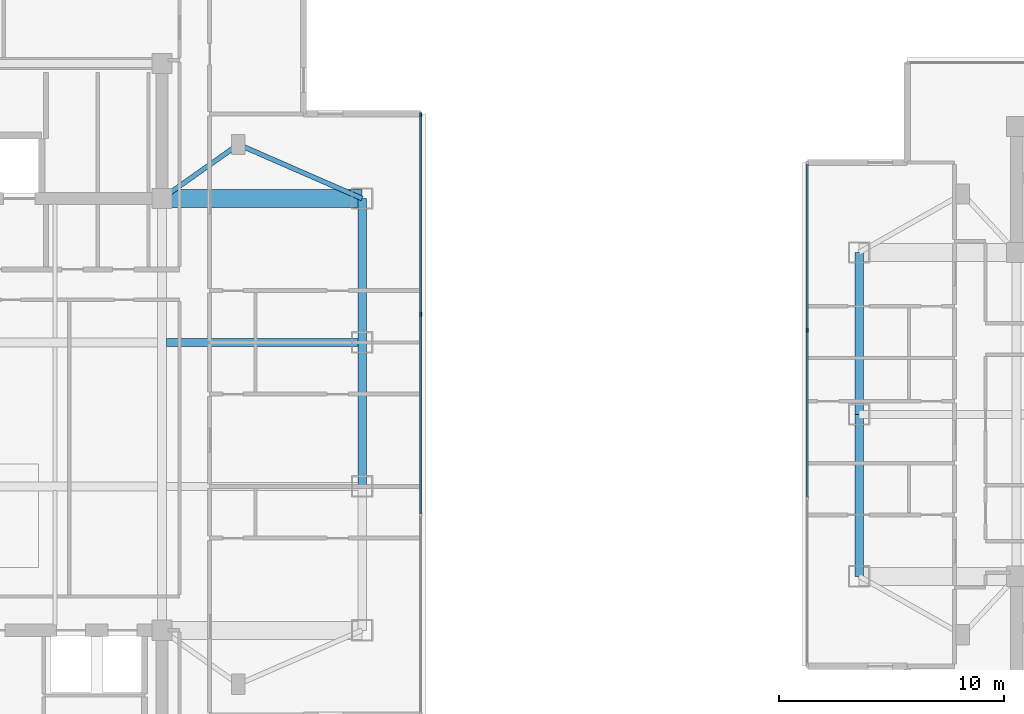
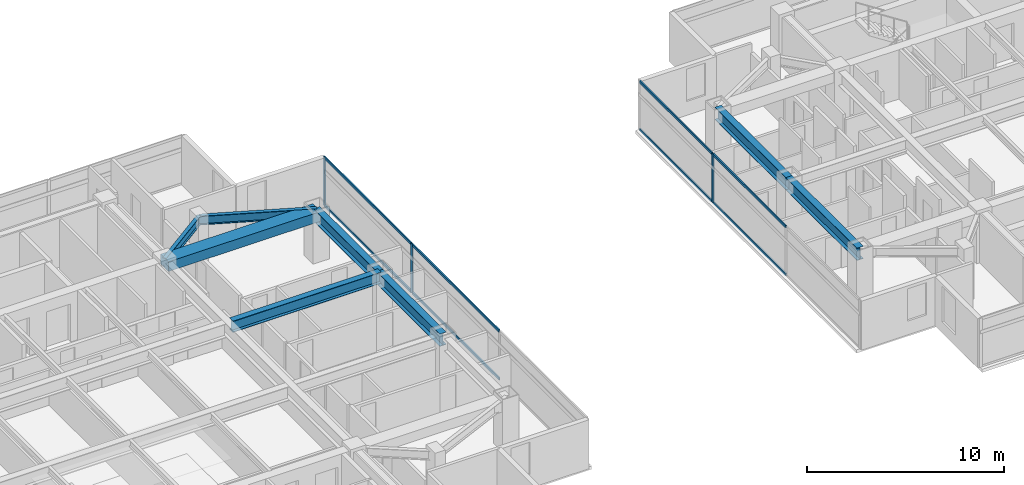
# One storey, part 5 of 26: 11 members, 8 beams, 2 elements without a shape of their own.
"""IFC4 building model written with IfcOpenShell, lengths in metres."""

from ifc_helpers import new_model, si_unit, direction, frame, origin, origin_2d, place, context, subcontext, project, spatial, rectangle, i_section, extrude, material, material_profile, profile_set, type_object, element, aggregate, save


model = new_model("IFC4")

# Units and contexts
model_context = context("Model", 3, precision=1e-05, world=origin(), true_north=direction((0.0, 1.0)))
body_context = subcontext(model_context, "Body", "Model", "MODEL_VIEW")
ifc_project = project(units=[si_unit("LENGTHUNIT", "METRE"), si_unit("AREAUNIT", "SQUARE_METRE"), si_unit("VOLUMEUNIT", "CUBIC_METRE"), si_unit("PLANEANGLEUNIT", "RADIAN"), si_unit("MASSUNIT", "GRAM", prefix="KILO")], contexts=[model_context])

# Site, building, storey
site_placement = place(None, origin())
site = spatial("IfcSite", under=ifc_project, at=site_placement, CompositionType="ELEMENT")
building_placement = place(site_placement, origin())
building = spatial("IfcBuilding", under=site, at=building_placement, Name="Mirazonda Arch Towers", CompositionType="ELEMENT")
storey_placement = place(building_placement, frame((0.0, 0.0, 203.14990234375)))
storey = spatial("IfcBuildingStorey", under=building, at=storey_placement, Name="L58", CompositionType="ELEMENT", Elevation=203.14990234375)

# Beams
ifc_material_1 = material(Name="Steel ASTM A992 Grade 50", Category="steel")
ifc_material_profile_1 = material_profile(ifc_material_1, i_section(OverallWidth=0.381103515625, OverallDepth=0.77294921875, WebThickness=0.0166015625, FlangeThickness=0.027099609375, at=origin_2d()), Name="W30X173")
ifc_profile_set_1 = profile_set([ifc_material_profile_1], Name="Steel ASTM A992 Grade 50")
beam_type_1 = type_object("IfcBeamType", Name="BM-EXT-W30X173", PredefinedType="USERDEFINED", material=ifc_profile_set_1)
beam_1_placement = place(storey_placement, frame((38.89990234375, 24.800048828125, 2.66357421875), z_axis=(0.0, 1.0, 0.0), x_axis=(-1.0, 0.0, 0.0)))
element("IfcBeam", 1, at=beam_1_placement, inside=storey, type_object=beam_type_1, Name="L58 Floor Beam BM-T1-L58-NS-E-24", ObjectType="GIRDER", PredefinedType="USERDEFINED", context=body_context, shape_type="SweptSolid", body=[
    extrude(i_section(OverallWidth=0.381103515625, OverallDepth=0.77294921875, WebThickness=0.0166015625, FlangeThickness=0.027099609375, at=origin_2d()), origin(), (0.0, 0.0, 1.0), 6.39990234375),
])
beam_2_placement = place(storey_placement, frame((38.89990234375, 31.199951171875, 2.66357421875), z_axis=(0.0, 1.0, 0.0), x_axis=(-1.0, 0.0, 0.0)))
element("IfcBeam", 2, at=beam_2_placement, inside=storey, type_object=beam_type_1, Name="L58 Floor Beam BM-T1-L58-NS-E-31", ObjectType="GIRDER", PredefinedType="USERDEFINED", context=body_context, shape_type="SweptSolid", body=[
    extrude(i_section(OverallWidth=0.381103515625, OverallDepth=0.77294921875, WebThickness=0.0166015625, FlangeThickness=0.027099609375, at=origin_2d()), origin(), (0.0, 0.0, 1.0), 6.400146484375),
])
for number, where, z_axis, x_axis, name in (
    (3, (61.0, 20.800048828125, 2.66357421875), (0.0, 1.0, 0.0), (-1.0, 0.0, 0.0), "L58 Floor Beam BM-T2-L58-NS-W-20"),
    (4, (61.0, 28.0, 2.66357421875), (0.0, 1.0, 0.0), (-1.0, 0.0, 0.0), "L58 Floor Beam BM-T2-L58-NS-W-28"),
):
    element("IfcBeam", number, at=place(storey_placement, frame(where, z_axis=z_axis, x_axis=x_axis)), inside=storey, type_object=beam_type_1, Name=name, ObjectType="GIRDER", PredefinedType="USERDEFINED", context=body_context, shape_type="SweptSolid", body=[
        extrude(i_section(OverallWidth=0.381103515625, OverallDepth=0.77294921875, WebThickness=0.0166015625, FlangeThickness=0.027099609375, at=origin_2d()), origin(), (0.0, 0.0, 1.0), 7.199951171875),
    ])
ifc_material_profile_2 = material_profile(ifc_material_1, i_section(OverallWidth=0.214111328125, OverallDepth=0.549072265625, WebThickness=0.0146484375, FlangeThickness=0.023681640625, at=origin_2d()), Name="W21X93")
ifc_profile_set_2 = profile_set([ifc_material_profile_2], Name="Steel ASTM A992 Grade 50")
beam_type_2 = type_object("IfcBeamType", Name="BM-INT-W21X93", PredefinedType="BEAM", material=ifc_profile_set_2)
beam_3_placement = place(storey_placement, frame((33.39990234375, 40.0, 2.775634765625), z_axis=(-0.816971114901, -0.576678591087, 0.0), x_axis=(0.576678591087, -0.816971114901, 0.0)))
element("IfcBeam", 5, at=beam_3_placement, inside=storey, type_object=beam_type_2, Name="L58 Floor Beam BM-T1-L58-PL-NE1", PredefinedType="BEAM", context=body_context, shape_type="SweptSolid", body=[
    extrude(i_section(OverallWidth=0.214111328125, OverallDepth=0.549072265625, WebThickness=0.0146484375, FlangeThickness=0.023681640625, at=origin_2d()), origin(), (0.0, 0.0, 1.0), 4.16162109375),
])
beam_4_placement = place(storey_placement, frame((33.39990234375, 40.0, 2.775634765625), z_axis=(0.916545343703, -0.399930785183, 0.0), x_axis=(0.399930785183, 0.916545343703, 0.0)))
element("IfcBeam", 6, at=beam_4_placement, inside=storey, type_object=beam_type_2, Name="L58 Floor Beam BM-T1-L58-PL-NE2", PredefinedType="BEAM", context=body_context, shape_type="SweptSolid", body=[
    extrude(i_section(OverallWidth=0.214111328125, OverallDepth=0.549072265625, WebThickness=0.0146484375, FlangeThickness=0.023681640625, at=origin_2d()), origin(), (0.0, 0.0, 1.0), 6.000732421875),
])
ifc_material_profile_3 = material_profile(ifc_material_1, i_section(OverallWidth=0.35498046875, OverallDepth=0.696044921875, WebThickness=0.015380859375, FlangeThickness=0.02490234375, at=origin_2d()), Name="W27X146")
ifc_profile_set_3 = profile_set([ifc_material_profile_3], Name="Steel ASTM A992 Grade 50")
beam_type_3 = type_object("IfcBeamType", Name="BM-INT-W27X146", PredefinedType="BEAM", material=ifc_profile_set_3)
beam_5_placement = place(storey_placement, frame((30.199951171875, 31.199951171875, 2.7021484375), z_axis=(1.0, 0.0, 0.0), x_axis=(0.0, 1.0, 0.0)))
element("IfcBeam", 7, at=beam_5_placement, inside=storey, type_object=beam_type_3, Name="L58 Floor Beam BM-T1-L58-GE3", PredefinedType="BEAM", context=body_context, shape_type="SweptSolid", body=[
    extrude(i_section(OverallWidth=0.35498046875, OverallDepth=0.696044921875, WebThickness=0.015380859375, FlangeThickness=0.02490234375, at=origin_2d()), origin(), (0.0, 0.0, 1.0), 8.699951171875),
])
ifc_material_2 = material(Name="Concrete C60/75", Category="concrete")
ifc_material_profile_4 = material_profile(ifc_material_2, rectangle(XDim=0.800048828125, YDim=0.60009765625, at=origin_2d()), Name="RCCB800x600")
ifc_profile_set_4 = profile_set([ifc_material_profile_4], Name="Concrete C60/75")
beam_type_4 = type_object("IfcBeamType", Name="CB-INT-RCCB800x600", PredefinedType="SPANDREL", material=ifc_profile_set_4)
beam_6_placement = place(storey_placement, frame((30.0, 37.60009765625, 2.75), z_axis=(1.0, 0.0, 0.0), x_axis=(0.0, 1.0, 0.0)))
element("IfcBeam", 8, at=beam_6_placement, inside=storey, type_object=beam_type_4, Name="L58 Floor Beam CBC-T1-L58-NE", PredefinedType="SPANDREL", context=body_context, shape_type="SweptSolid", body=[
    extrude(rectangle(XDim=0.800048828125, YDim=0.60009765625, at=origin_2d()), origin(), (0.0, 0.0, 1.0), 8.89990234375),
])

# Curtain wall, members
ifc_material_3 = material(Name="Anodised Aluminium and Low-E Glass", Category="aluminium")
curtain_wall_type = type_object("IfcCurtainWallType", Name="CW-RES-UNIT", PredefinedType="NOTDEFINED", material=ifc_material_3)
curtain_wall_1_placement = place(storey_placement, origin())
curtain_wall_1 = element("IfcCurtainWall", 9, at=curtain_wall_1_placement, inside=storey, type_object=curtain_wall_type, Name="L58 T1 E Facade CW-L58-T1-E", PredefinedType="NOTDEFINED")
ifc_material_4 = material(Name="Anodised Aluminium Alloy", Category="aluminium")
ifc_material_profile_5 = material_profile(ifc_material_4, rectangle(XDim=0.074951171875, YDim=0.175048828125, at=origin_2d()), Name="ALU-MULL-75x175")
ifc_profile_set_5 = profile_set([ifc_material_profile_5], Name="Anodised Aluminium Alloy")
member_type_1 = type_object("IfcMemberType", Name="MULL-CW-RES-UNIT", PredefinedType="MULLION", material=ifc_profile_set_5)
member_1_placement = place(storey_placement, frame((41.510009765625, 32.454345703125, 0.0), z_axis=(0.0, 0.0, 1.0), x_axis=(-1.0, 0.0, 0.0)))
member_1 = element("IfcMember", 10, at=member_1_placement, type_object=member_type_1, Name="CW-104 mullion 3", PredefinedType="MULLION", context=body_context, shape_type="SweptSolid", body=[
    extrude(rectangle(XDim=0.074951171875, YDim=0.175048828125, at=origin_2d()), origin(), (0.0, 0.0, 1.0), 3.030029296875),
])
member_2_placement = place(storey_placement, frame((41.510009765625, 41.325439453125, 0.0), z_axis=(0.0, 0.0, 1.0), x_axis=(-1.0, 0.0, 0.0)))
member_2 = element("IfcMember", 11, at=member_2_placement, type_object=member_type_1, Name="CW-104 mullion 4", PredefinedType="MULLION", context=body_context, shape_type="SweptSolid", body=[
    extrude(rectangle(XDim=0.074951171875, YDim=0.175048828125, at=origin_2d()), origin(), (0.0, 0.0, 1.0), 3.030029296875),
])

# Curtain wall, member
curtain_wall_2_placement = place(storey_placement, origin())
curtain_wall_2 = element("IfcCurtainWall", 12, at=curtain_wall_2_placement, inside=storey, type_object=curtain_wall_type, Name="L58 T2 W Facade CW-L58-T2-W", PredefinedType="NOTDEFINED")
member_3_placement = place(storey_placement, frame((58.694580078125, 31.73291015625, 0.0), z_axis=(0.0, 0.0, 1.0), x_axis=(1.0, 0.0, 0.0)))
member_3 = element("IfcMember", 13, at=member_3_placement, type_object=member_type_1, Name="CW-104 mullion 2", PredefinedType="MULLION", context=body_context, shape_type="SweptSolid", body=[
    extrude(rectangle(XDim=0.074951171875, YDim=0.175048828125, at=origin_2d()), origin(), (0.0, 0.0, 1.0), 3.030029296875),
])

# Member
ifc_material_profile_6 = material_profile(ifc_material_4, rectangle(XDim=0.074951171875, YDim=0.155029296875, at=origin_2d()), Name="ALU-TRAN-75x155")
ifc_profile_set_6 = profile_set([ifc_material_profile_6], Name="Anodised Aluminium Alloy")
member_type_2 = type_object("IfcMemberType", Name="TRAN-CW-RES-UNIT", PredefinedType="USERDEFINED", material=ifc_profile_set_6)
member_4_placement = place(storey_placement, frame((41.510009765625, 23.583251953125, 0.03759765625), z_axis=(0.0, 1.0, 0.0), x_axis=(-1.0, 0.0, 0.0)))
member_4 = element("IfcMember", 14, at=member_4_placement, type_object=member_type_2, Name="CW-104 transom 2.1", ObjectType="TRANSOM", PredefinedType="USERDEFINED", context=body_context, shape_type="SweptSolid", body=[
    extrude(rectangle(XDim=0.074951171875, YDim=0.155029296875, at=origin_2d()), origin(), (0.0, 0.0, 1.0), 8.83349609375),
])

member_5_placement = place(storey_placement, frame((41.510009765625, 23.583251953125, 2.99267578125), z_axis=(0.0, 1.0, 0.0), x_axis=(-1.0, 0.0, 0.0)))
member_5 = element("IfcMember", 15, at=member_5_placement, type_object=member_type_2, Name="CW-104 transom 2.2", ObjectType="TRANSOM", PredefinedType="USERDEFINED", context=body_context, shape_type="SweptSolid", body=[
    extrude(rectangle(XDim=0.074951171875, YDim=0.155029296875, at=origin_2d()), origin(), (0.0, 0.0, 1.0), 8.83349609375),
])

member_6_placement = place(storey_placement, frame((41.510009765625, 32.491943359375, 0.03759765625), z_axis=(0.0, 1.0, 0.0), x_axis=(-1.0, 0.0, 0.0)))
member_6 = element("IfcMember", 16, at=member_6_placement, type_object=member_type_2, Name="CW-104 transom 3.1", ObjectType="TRANSOM", PredefinedType="USERDEFINED", context=body_context, shape_type="SweptSolid", body=[
    extrude(rectangle(XDim=0.074951171875, YDim=0.155029296875, at=origin_2d()), origin(), (0.0, 0.0, 1.0), 8.796142578125),
])

member_7_placement = place(storey_placement, frame((41.510009765625, 32.491943359375, 2.99267578125), z_axis=(0.0, 1.0, 0.0), x_axis=(-1.0, 0.0, 0.0)))
member_7 = element("IfcMember", 17, at=member_7_placement, type_object=member_type_2, Name="CW-104 transom 3.2", ObjectType="TRANSOM", PredefinedType="USERDEFINED", context=body_context, shape_type="SweptSolid", body=[
    extrude(rectangle(XDim=0.074951171875, YDim=0.155029296875, at=origin_2d()), origin(), (0.0, 0.0, 1.0), 8.796142578125),
])

aggregate(curtain_wall_1, [member_1, member_2, member_4, member_5, member_6, member_7])

member_8_placement = place(storey_placement, frame((58.694580078125, 39.12353515625, 0.03759765625), z_axis=(0.0, -1.0, 0.0), x_axis=(1.0, 0.0, 0.0)))
member_8 = element("IfcMember", 18, at=member_8_placement, type_object=member_type_2, Name="CW-104 transom 1.1", ObjectType="TRANSOM", PredefinedType="USERDEFINED", context=body_context, shape_type="SweptSolid", body=[
    extrude(rectangle(XDim=0.074951171875, YDim=0.155029296875, at=origin_2d()), origin(), (0.0, 0.0, 1.0), 7.353271484375),
])

member_9_placement = place(storey_placement, frame((58.694580078125, 39.12353515625, 2.99267578125), z_axis=(0.0, -1.0, 0.0), x_axis=(1.0, 0.0, 0.0)))
member_9 = element("IfcMember", 19, at=member_9_placement, type_object=member_type_2, Name="CW-104 transom 1.2", ObjectType="TRANSOM", PredefinedType="USERDEFINED", context=body_context, shape_type="SweptSolid", body=[
    extrude(rectangle(XDim=0.074951171875, YDim=0.155029296875, at=origin_2d()), origin(), (0.0, 0.0, 1.0), 7.353271484375),
])

member_10_placement = place(storey_placement, frame((58.694580078125, 31.6953125, 0.03759765625), z_axis=(0.0, -1.0, 0.0), x_axis=(1.0, 0.0, 0.0)))
member_10 = element("IfcMember", 20, at=member_10_placement, type_object=member_type_2, Name="CW-104 transom 2.1", ObjectType="TRANSOM", PredefinedType="USERDEFINED", context=body_context, shape_type="SweptSolid", body=[
    extrude(rectangle(XDim=0.074951171875, YDim=0.155029296875, at=origin_2d()), origin(), (0.0, 0.0, 1.0), 7.390625),
])

member_11_placement = place(storey_placement, frame((58.694580078125, 31.6953125, 2.99267578125), z_axis=(0.0, -1.0, 0.0), x_axis=(1.0, 0.0, 0.0)))
member_11 = element("IfcMember", 21, at=member_11_placement, type_object=member_type_2, Name="CW-104 transom 2.2", ObjectType="TRANSOM", PredefinedType="USERDEFINED", context=body_context, shape_type="SweptSolid", body=[
    extrude(rectangle(XDim=0.074951171875, YDim=0.155029296875, at=origin_2d()), origin(), (0.0, 0.0, 1.0), 7.390625),
])

aggregate(curtain_wall_2, [member_3, member_8, member_9, member_10, member_11])

save(model, "model.ifc")
